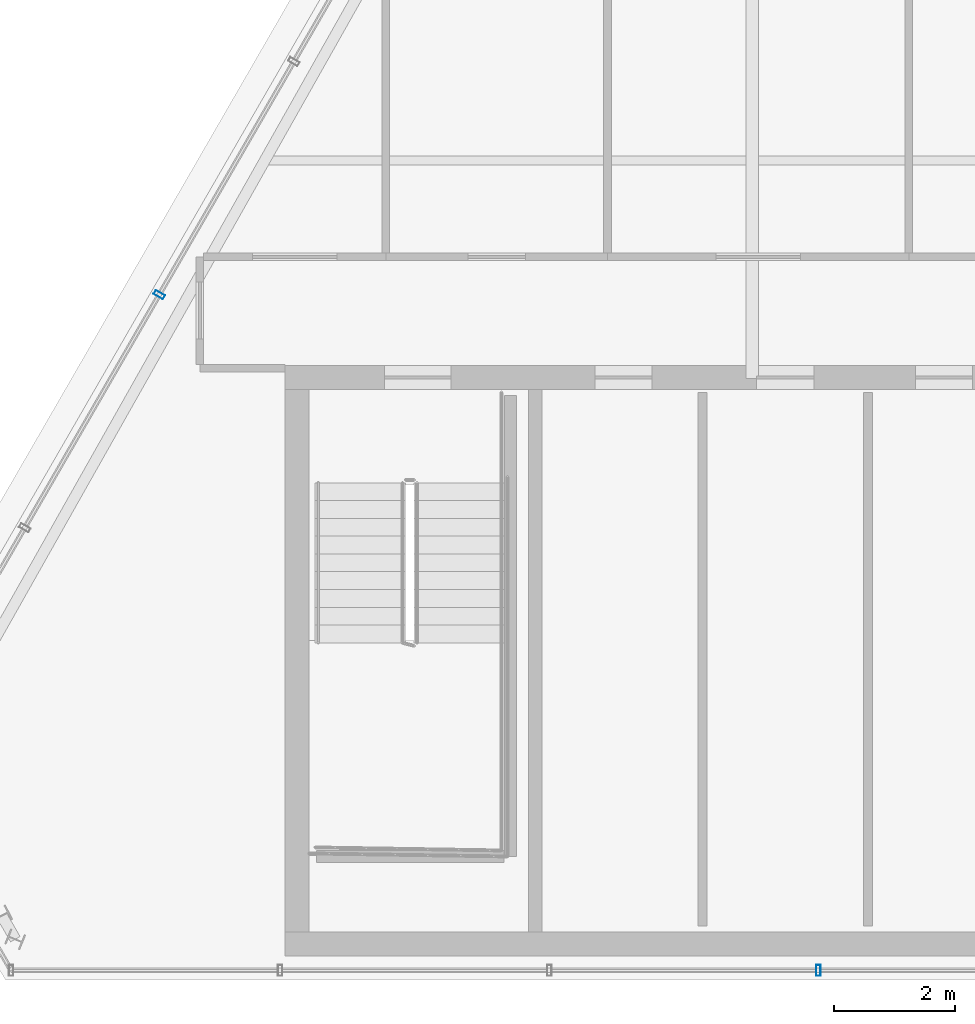
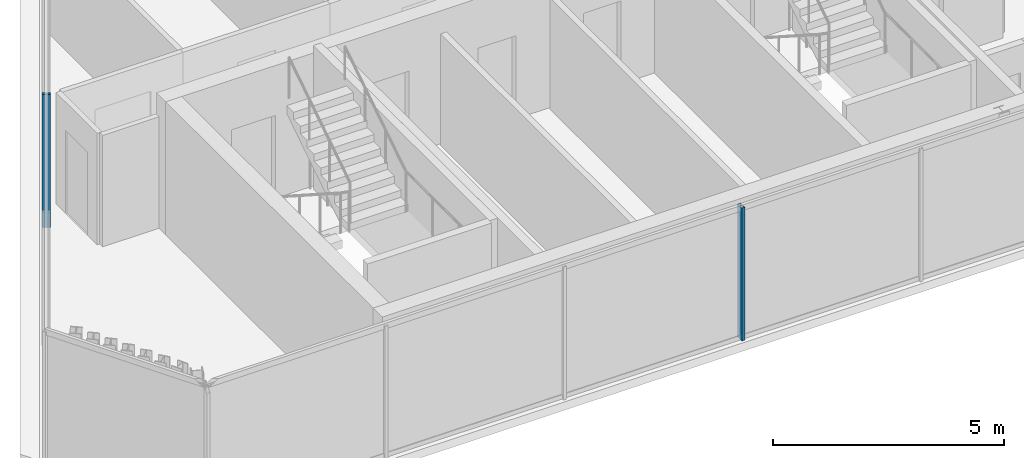
# One storey, part 4 of 32: 2 members, 2 elements without a shape of their own.
"""IFC4 building model written with IfcOpenShell, lengths in metres."""

import ifcopenshell
import ifcopenshell.guid

model = None  # the IFC model being written
_history = None  # IfcOwnerHistory: only IFC2X3 demands one
_inside = {}  # id of a spatial element -> (the spatial element, [elements in it])
_under = {}  # id of a project, library or spatial element -> (it, [spatial elements below it])
_declared = {}  # id of a project -> (the project, [libraries it declares])
_typed = {}  # id of a type object -> (the type object, [elements of that type])
_made_of = {}  # id of a material, layer set ... -> (it, [elements and type objects made of it])


def new_model(schema):
    """Start an empty IFC model of exactly this schema.

    Asked for "IFC4X3", IfcOpenShell would pick the latest addendum, in which some entities
    have other attributes; the version numbers below select the first issue.
    IFC2X3 requires an IfcOwnerHistory on every rooted entity: one is made here for all.
    """
    global model, _history
    if schema == "IFC4X3":
        model = ifcopenshell.file(schema_version=(4, 3, 0, 0))
    else:
        model = ifcopenshell.file(schema=schema)
    _inside.clear()
    _under.clear()
    _declared.clear()
    _typed.clear()
    _made_of.clear()
    _history = None
    if model.schema == "IFC2X3":
        org = make("IfcOrganization", Name="unknown")
        user = make(
            "IfcPersonAndOrganization",
            ThePerson=make("IfcPerson", FamilyName="unknown"),
            TheOrganization=org,
        )
        app = make(
            "IfcApplication",
            ApplicationDeveloper=org,
            Version="unknown",
            ApplicationFullName="unknown",
            ApplicationIdentifier="unknown",
        )
        _history = make(
            "IfcOwnerHistory",
            OwningUser=user,
            OwningApplication=app,
            ChangeAction="ADDED",
            CreationDate=0,
        )
    return model


def make(cls, **values):
    """One entity of the class cls with the attributes given. An attribute that is None is left unset."""
    return model.create_entity(
        cls, **{name: value for name, value in values.items() if value is not None}
    )


def rooted(cls, **values):
    """An entity with a GlobalId (a new one), such as an element, a storey or a relation."""
    return make(cls, GlobalId=ifcopenshell.guid.new(), OwnerHistory=_history, **values)


def si_unit(unit_type, name, prefix=None):
    """IfcSIUnit, for example si_unit("LENGTHUNIT", "METRE", prefix="MILLI")."""
    return make("IfcSIUnit", UnitType=unit_type, Prefix=prefix, Name=name)


def assignment(units):
    """IfcUnitAssignment: the units of a project."""
    return None if units is None else make("IfcUnitAssignment", Units=units)


def point(xyz):
    """IfcCartesianPoint."""
    return None if xyz is None else make("IfcCartesianPoint", Coordinates=xyz)


def direction(xyz):
    """IfcDirection."""
    return None if xyz is None else make("IfcDirection", DirectionRatios=xyz)


def frame(location, z_axis=None, x_axis=None):
    """IfcAxis2Placement3D, a coordinate frame: its origin and axes. An axis left out is left unset."""
    return make(
        "IfcAxis2Placement3D",
        Location=point(location),
        Axis=direction(z_axis),
        RefDirection=direction(x_axis),
    )


def frame_2d(location, x_axis=None):
    """IfcAxis2Placement2D, a coordinate frame in the plane: its origin and x axis."""
    return make(
        "IfcAxis2Placement2D", Location=point(location), RefDirection=direction(x_axis)
    )


def origin():
    """The frame at (0, 0, 0) with its axes left unset."""
    return frame((0.0, 0.0, 0.0))


def origin_2d():
    """The frame at (0, 0) in the plane with its x axis left unset."""
    return frame_2d((0.0, 0.0))


def place(relative_to, where):
    """IfcLocalPlacement: puts the frame where relative to a parent placement (None: the world)."""
    return make(
        "IfcLocalPlacement", PlacementRelTo=relative_to, RelativePlacement=where
    )


def context(
    kind, dimensions, precision=None, world=None, true_north=None, identifier=None
):
    """IfcGeometricRepresentationContext, for example the 3D "Model" context."""
    return make(
        "IfcGeometricRepresentationContext",
        ContextIdentifier=identifier,
        ContextType=kind,
        CoordinateSpaceDimension=dimensions,
        Precision=precision,
        WorldCoordinateSystem=world,
        TrueNorth=true_north,
    )


def subcontext(parent, identifier, kind, view, scale=None):
    """IfcGeometricRepresentationSubContext, for example "Body" below "Model"."""
    return make(
        "IfcGeometricRepresentationSubContext",
        ContextIdentifier=identifier,
        ContextType=kind,
        ParentContext=parent,
        TargetScale=scale,
        TargetView=view,
    )


def project(units=None, contexts=None):
    """IfcProject with its units and contexts."""
    return rooted(
        "IfcProject",
        Name="project",
        RepresentationContexts=contexts,
        UnitsInContext=assignment(units),
    )


def spatial(cls, under=None, at=None, **own):
    """A site, building, storey or space (cls), placed at a placement, below another one or the project."""
    s = rooted(cls, ObjectPlacement=at, **own)
    if under is not None:
        _under.setdefault(under.id(), (under, []))[1].append(s)
    return s


def profile(cls, at=None, kind="AREA", **sizes):
    """A parametric profile (cls). Its sizes go by their IFC names, for example OverallWidth=200.0."""
    return make(cls, ProfileType=kind, Position=at, **sizes)


def hollow_rectangle(**sizes):
    """IfcRectangleHollowProfileDef."""
    return profile("IfcRectangleHollowProfileDef", **sizes)


def extrude(swept, where, along, depth):
    """IfcExtrudedAreaSolid: the profile swept, set in the frame where, extruded along a direction by depth."""
    return make(
        "IfcExtrudedAreaSolid",
        SweptArea=swept,
        Position=where,
        ExtrudedDirection=direction(along),
        Depth=depth,
    )


def shape(context_of_items, identifier, shape_type, items):
    """IfcShapeRepresentation: the items that make up one representation, for example the "Body"."""
    return make(
        "IfcShapeRepresentation",
        ContextOfItems=context_of_items,
        RepresentationIdentifier=identifier,
        RepresentationType=shape_type,
        Items=items,
    )


def material(Name=None, Category=None):
    """IfcMaterial."""
    return make("IfcMaterial", Name=Name, Category=Category)


def layer(
    of_material, thickness, ventilated=None, Name=None, Category=None, Priority=None
):
    """IfcMaterialLayer: one layer of a wall or slab, of a material (None: an air gap)."""
    return make(
        "IfcMaterialLayer",
        Material=of_material,
        LayerThickness=thickness,
        IsVentilated=ventilated,
        Name=Name,
        Category=Category,
        Priority=Priority,
    )


def layer_set(layers, Name=None):
    """IfcMaterialLayerSet."""
    return make("IfcMaterialLayerSet", MaterialLayers=layers, LayerSetName=Name)


def material_profile(
    of_material, cross_section, Name=None, Category=None, Priority=None
):
    """IfcMaterialProfile: a cross section and its material."""
    return make(
        "IfcMaterialProfile",
        Name=Name,
        Material=of_material,
        Profile=cross_section,
        Priority=Priority,
        Category=Category,
    )


def profile_set(profiles, Name=None, composite=None):
    """IfcMaterialProfileSet."""
    return make(
        "IfcMaterialProfileSet",
        Name=Name,
        MaterialProfiles=profiles,
        CompositeProfile=composite,
    )


def made_of(thing, what):
    """Note that an element or type object is made of a material, layer set ...; save() writes the relation."""
    if what is not None:
        _made_of.setdefault(what.id(), (what, []))[1].append(thing)
    return thing


def type_object(cls, material=None, **own):
    """A type object (cls), such as IfcWallType, which elements share."""
    return made_of(rooted(cls, **own), material)


def element(
    cls,
    number,
    at=None,
    inside=None,
    cuts=None,
    type_object=None,
    material=None,
    context=None,
    identifier="Body",
    shape_type=None,
    held_by="IfcProductDefinitionShape",
    body=None,
    shapes=None,
    **own,
):
    """One element of the class cls, such as IfcWall. Its Tag is "e" and its number.

    at: its placement. inside: the storey or other place that contains it. cuts: it is an
    opening in that element (IfcRelVoidsElement). A single representation is given by context,
    identifier, shape_type and body (its items); several are given by shapes. held_by: the class
    of the entity that holds the representations. save() writes the other relations.
    """
    e = rooted(cls, Tag="e%d" % number, ObjectPlacement=at, **own)
    if body is not None:
        shapes = [shape(context, identifier, shape_type, body)]
    if shapes is not None:
        e.Representation = make(held_by, Representations=shapes)
    if inside is not None:
        _inside.setdefault(inside.id(), (inside, []))[1].append(e)
    if cuts is not None:
        rooted(
            "IfcRelVoidsElement", RelatingBuildingElement=cuts, RelatedOpeningElement=e
        )
    if type_object is not None:
        _typed.setdefault(type_object.id(), (type_object, []))[1].append(e)
    return made_of(e, material)


def aggregate(whole, parts):
    """IfcRelAggregates: a whole, such as a stair, and the parts it consists of."""
    return rooted("IfcRelAggregates", RelatingObject=whole, RelatedObjects=parts)


def save(model, path):
    """Write the relations noted so far, then the file.

    IfcRelAggregates (storeys below a building ...), IfcRelContainedInSpatialStructure (elements
    in a storey), IfcRelDefinesByType, IfcRelAssociatesMaterial and IfcRelDeclares: one each for
    every whole, place, type object, material and project.
    """
    for whole, parts in _under.values():
        aggregate(whole, parts)
    for where, things in _inside.values():
        rooted(
            "IfcRelContainedInSpatialStructure",
            RelatedElements=things,
            RelatingStructure=where,
        )
    for kind, things in _typed.values():
        rooted("IfcRelDefinesByType", RelatedObjects=things, RelatingType=kind)
    for what, things in _made_of.values():
        rooted("IfcRelAssociatesMaterial", RelatedObjects=things, RelatingMaterial=what)
    for by, libraries in _declared.values():
        rooted("IfcRelDeclares", RelatingContext=by, RelatedDefinitions=libraries)
    model.write(path)


model = new_model("IFC4")

# Units and contexts
model_context = context("Model", 3, precision=1e-05, world=origin(), true_north=direction((0.0, 1.0)))
body_context = subcontext(model_context, "Body", "Model", "MODEL_VIEW")
ifc_project = project(units=[si_unit("LENGTHUNIT", "METRE"), si_unit("AREAUNIT", "SQUARE_METRE"), si_unit("VOLUMEUNIT", "CUBIC_METRE"), si_unit("PLANEANGLEUNIT", "RADIAN"), si_unit("MASSUNIT", "GRAM", prefix="KILO")], contexts=[model_context])

# Site, building, storey
site_placement = place(None, origin())
site = spatial("IfcSite", under=ifc_project, at=site_placement, CompositionType="ELEMENT")
building_placement = place(site_placement, origin())
building = spatial("IfcBuilding", under=site, at=building_placement, Name="Ndaravel Arena Tower", CompositionType="ELEMENT")
storey_placement = place(building_placement, frame((0.0, 0.0, 294.699951171875)))
storey = spatial("IfcBuildingStorey", under=building, at=storey_placement, Name="L72", CompositionType="ELEMENT", Elevation=294.699951171875)

# Curtain wall, member
ifc_material_1 = material(Name="Aluminium", Category="aluminium")
ifc_layer = layer(ifc_material_1, 0.179931640625)
ifc_layer_set = layer_set([ifc_layer], Name="Aluminium")
curtain_wall_type = type_object("IfcCurtainWallType", Name="CW-SYS-03", PredefinedType="NOTDEFINED", material=ifc_layer_set)
curtain_wall_1_placement = place(storey_placement, origin())
curtain_wall_1 = element("IfcCurtainWall", 1, at=curtain_wall_1_placement, inside=storey, type_object=curtain_wall_type, Name="L72 Faceted Crystal Curtain Wall CW-L72-E01", PredefinedType="NOTDEFINED")
ifc_material_2 = material(Name="Aluminium", Category="aluminium")
ifc_material_profile = material_profile(ifc_material_2, hollow_rectangle(XDim=0.074951171875, YDim=0.179931640625, WallThickness=0.00390625, at=origin_2d()), Name="CW MULLION 75x180x4")
ifc_profile_set = profile_set([ifc_material_profile], Name="Aluminium")
member_type = type_object("IfcMemberType", Name="MEM-CW-MUL180", PredefinedType="MULLION", material=ifc_profile_set)
member_1_placement = place(storey_placement, frame((35.30078125, 5.159912109375, 0.0), z_axis=(0.0, 0.0, 1.0), x_axis=(1.0, 0.0, 0.0)))
member_1 = element("IfcMember", 2, at=member_1_placement, type_object=member_type, Name="CW-L72-E01 Mullion 03", PredefinedType="MULLION", context=body_context, shape_type="SweptSolid", body=[
    extrude(hollow_rectangle(XDim=0.074951171875, YDim=0.179931640625, WallThickness=0.00390625, at=origin_2d()), origin(), (0.0, 0.0, 1.0), 3.52001953125),
])
aggregate(curtain_wall_1, [member_1])

curtain_wall_2_placement = place(storey_placement, origin())
curtain_wall_2 = element("IfcCurtainWall", 3, at=curtain_wall_2_placement, inside=storey, type_object=curtain_wall_type, Name="L72 Faceted Crystal Curtain Wall CW-L72-E05", PredefinedType="NOTDEFINED")
member_2_placement = place(storey_placement, frame((24.362060546875, 16.371337890625, 0.0), z_axis=(0.0, 0.0, 1.0), x_axis=(-0.5, -0.866025403784, 0.0)))
member_2 = element("IfcMember", 4, at=member_2_placement, type_object=member_type, Name="CW-L72-E05 Mullion 07", PredefinedType="MULLION", context=body_context, shape_type="SweptSolid", body=[
    extrude(hollow_rectangle(XDim=0.074951171875, YDim=0.179931640625, WallThickness=0.00390625, at=origin_2d()), origin(), (0.0, 0.0, 1.0), 3.52001953125),
])
aggregate(curtain_wall_2, [member_2])

save(model, "model.ifc")
